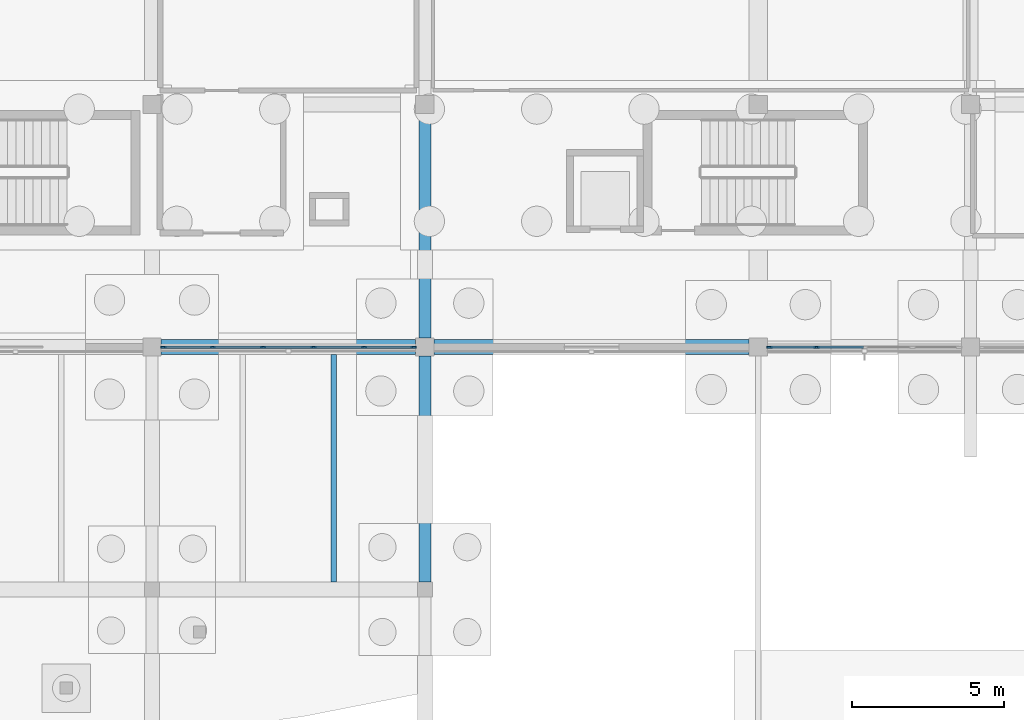
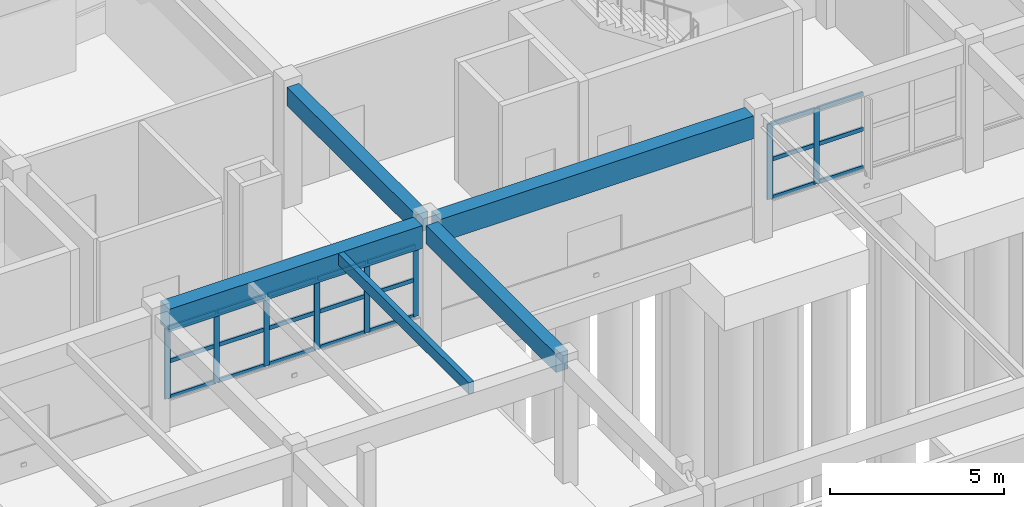
# One storey, part 35 of 99: 29 members, 5 beams, 2 elements without a shape of their own.
"""IFC4 building model written with IfcOpenShell, lengths in metres."""

from ifc_helpers import new_model, si_unit, direction, frame, origin, origin_2d, place, context, subcontext, project, spatial, rectangle, extrude, material, layer, layer_set, material_profile, profile_set, type_object, element, aggregate, save


model = new_model("IFC4")

# Units and contexts
model_context = context("Model", 3, precision=1e-05, world=origin(), true_north=direction((0.0, 1.0)))
body_context = subcontext(model_context, "Body", "Model", "MODEL_VIEW")
ifc_project = project(units=[si_unit("LENGTHUNIT", "METRE"), si_unit("AREAUNIT", "SQUARE_METRE"), si_unit("VOLUMEUNIT", "CUBIC_METRE"), si_unit("PLANEANGLEUNIT", "RADIAN"), si_unit("MASSUNIT", "GRAM", prefix="KILO")], contexts=[model_context])

# Site, building, storey
site_placement = place(None, origin())
site = spatial("IfcSite", under=ifc_project, at=site_placement, CompositionType="ELEMENT")
building_placement = place(site_placement, origin())
building = spatial("IfcBuilding", under=site, at=building_placement, Name="Tonlespit Floodbar School", CompositionType="ELEMENT")
storey_placement = place(building_placement, origin())
storey = spatial("IfcBuildingStorey", under=building, at=storey_placement, Name="L00", CompositionType="ELEMENT", Elevation=0.0)

# Beams
ifc_material_1 = material(Name="Concrete C40/50", Category="concrete")
ifc_material_profile_1 = material_profile(ifc_material_1, rectangle(XDim=0.39990234375, YDim=0.64990234375, at=origin_2d()), Name="RC 400x650")
ifc_profile_set_1 = profile_set([ifc_material_profile_1], Name="Concrete C40/50")
beam_type_1 = type_object("IfcBeamType", Name="Beam_RC_400x650", PredefinedType="BEAM", material=ifc_profile_set_1)
beam_1_placement = place(storey_placement, frame((116.0, 96.25, 3.9150390625), z_axis=(0.0, 1.0, 0.0), x_axis=(-1.0, 0.0, 0.0)))
element("IfcBeam", 1, at=beam_1_placement, inside=storey, type_object=beam_type_1, Name="L00 girder 0258", PredefinedType="BEAM", context=body_context, shape_type="SweptSolid", body=[
    extrude(rectangle(XDim=0.39990234375, YDim=0.64990234375, at=origin_2d()), origin(), (0.0, 0.0, 1.0), 7.449951171875),
])
beam_2_placement = place(storey_placement, frame((116.0, 104.300048828125, 3.9150390625), z_axis=(0.0, 1.0, 0.0), x_axis=(-1.0, 0.0, 0.0)))
element("IfcBeam", 2, at=beam_2_placement, inside=storey, type_object=beam_type_1, Name="L00 girder 0259", PredefinedType="BEAM", context=body_context, shape_type="SweptSolid", body=[
    extrude(rectangle(XDim=0.39990234375, YDim=0.64990234375, at=origin_2d()), origin(), (0.0, 0.0, 1.0), 7.39990234375),
])
ifc_material_profile_2 = material_profile(ifc_material_1, rectangle(XDim=0.5, YDim=0.800048828125, at=origin_2d()), Name="RC 500x800")
ifc_profile_set_2 = profile_set([ifc_material_profile_2], Name="Concrete C40/50")
beam_type_2 = type_object("IfcBeamType", Name="Beam_RC_500x800", PredefinedType="BEAM", material=ifc_profile_set_2)
beam_3_placement = place(storey_placement, frame((107.300048828125, 104.0, 3.840087890625), z_axis=(1.0, 0.0, 0.0), x_axis=(0.0, 1.0, 0.0)))
element("IfcBeam", 3, at=beam_3_placement, inside=storey, type_object=beam_type_2, Name="L00 girder 0131", PredefinedType="BEAM", context=body_context, shape_type="SweptSolid", body=[
    extrude(rectangle(XDim=0.5, YDim=0.800048828125, at=origin_2d()), origin(), (0.0, 0.0, 1.0), 8.39990234375),
])
beam_4_placement = place(storey_placement, frame((116.300048828125, 104.0, 3.840087890625), z_axis=(1.0, 0.0, 0.0), x_axis=(0.0, 1.0, 0.0)))
element("IfcBeam", 4, at=beam_4_placement, inside=storey, type_object=beam_type_2, Name="L00 girder 0132", PredefinedType="BEAM", context=body_context, shape_type="SweptSolid", body=[
    extrude(rectangle(XDim=0.5, YDim=0.800048828125, at=origin_2d()), origin(), (0.0, 0.0, 1.0), 10.39990234375),
])

# Curtain wall, members
ifc_material_2 = material(Name="Anodised Aluminium", Category="aluminium")
ifc_layer_1 = layer(ifc_material_2, 0.159912109375)
ifc_layer_set_1 = layer_set([ifc_layer_1], Name="Anodised Aluminium")
curtain_wall_type_1 = type_object("IfcCurtainWallType", Name="CurtainWall_8300x2500", PredefinedType="NOTDEFINED", material=ifc_layer_set_1)
curtain_wall_1_placement = place(storey_placement, origin())
curtain_wall_1 = element("IfcCurtainWall", 5, at=curtain_wall_1_placement, inside=storey, type_object=curtain_wall_type_1, Name="L00 unitised curtain wall 0035", PredefinedType="NOTDEFINED")
ifc_material_profile_3 = material_profile(ifc_material_2, rectangle(XDim=0.06494140625, YDim=0.179931640625, at=origin_2d()), Name="ALU M65x180")
ifc_profile_set_3 = profile_set([ifc_material_profile_3], Name="Anodised Aluminium")
member_type_1 = type_object("IfcMemberType", Name="CW_Mullion_65x180", PredefinedType="MULLION", material=ifc_profile_set_3)
member_1_placement = place(storey_placement, frame((115.62744140625, 104.0, 0.949951171875), z_axis=(0.0, 0.0, 1.0), x_axis=(0.0, -1.0, 0.0)))
member_1 = element("IfcMember", 6, at=member_1_placement, type_object=member_type_1, Name="CW-03 mullion 1", PredefinedType="MULLION", context=body_context, shape_type="SweptSolid", body=[
    extrude(rectangle(XDim=0.06494140625, YDim=0.179931640625, at=origin_2d()), origin(), (0.0, 0.0, 1.0), 2.489990234375),
])
member_2_placement = place(storey_placement, frame((113.99609375, 104.0, 0.949951171875), z_axis=(0.0, 0.0, 1.0), x_axis=(0.0, -1.0, 0.0)))
member_2 = element("IfcMember", 7, at=member_2_placement, type_object=member_type_1, Name="CW-03 mullion 2", PredefinedType="MULLION", context=body_context, shape_type="SweptSolid", body=[
    extrude(rectangle(XDim=0.06494140625, YDim=0.179931640625, at=origin_2d()), origin(), (0.0, 0.0, 1.0), 2.489990234375),
])
member_3_placement = place(storey_placement, frame((112.33203125, 104.0, 0.949951171875), z_axis=(0.0, 0.0, 1.0), x_axis=(0.0, -1.0, 0.0)))
member_3 = element("IfcMember", 8, at=member_3_placement, type_object=member_type_1, Name="CW-03 mullion 3", PredefinedType="MULLION", context=body_context, shape_type="SweptSolid", body=[
    extrude(rectangle(XDim=0.06494140625, YDim=0.179931640625, at=origin_2d()), origin(), (0.0, 0.0, 1.0), 2.489990234375),
])
member_4_placement = place(storey_placement, frame((110.66796875, 104.0, 0.949951171875), z_axis=(0.0, 0.0, 1.0), x_axis=(0.0, -1.0, 0.0)))
member_4 = element("IfcMember", 9, at=member_4_placement, type_object=member_type_1, Name="CW-03 mullion 4", PredefinedType="MULLION", context=body_context, shape_type="SweptSolid", body=[
    extrude(rectangle(XDim=0.06494140625, YDim=0.179931640625, at=origin_2d()), origin(), (0.0, 0.0, 1.0), 2.489990234375),
])
member_5_placement = place(storey_placement, frame((109.00390625, 104.0, 0.949951171875), z_axis=(0.0, 0.0, 1.0), x_axis=(0.0, -1.0, 0.0)))
member_5 = element("IfcMember", 10, at=member_5_placement, type_object=member_type_1, Name="CW-03 mullion 5", PredefinedType="MULLION", context=body_context, shape_type="SweptSolid", body=[
    extrude(rectangle(XDim=0.06494140625, YDim=0.179931640625, at=origin_2d()), origin(), (0.0, 0.0, 1.0), 2.489990234375),
])
member_6_placement = place(storey_placement, frame((107.37255859375, 104.0, 0.949951171875), z_axis=(0.0, 0.0, 1.0), x_axis=(0.0, -1.0, 0.0)))
member_6 = element("IfcMember", 11, at=member_6_placement, type_object=member_type_1, Name="CW-03 mullion 6", PredefinedType="MULLION", context=body_context, shape_type="SweptSolid", body=[
    extrude(rectangle(XDim=0.06494140625, YDim=0.179931640625, at=origin_2d()), origin(), (0.0, 0.0, 1.0), 2.489990234375),
])

ifc_layer_2 = layer(ifc_material_2, 0.159912109375)
ifc_layer_set_2 = layer_set([ifc_layer_2], Name="Anodised Aluminium")
curtain_wall_type_2 = type_object("IfcCurtainWallType", Name="CurtainWall_6300x2650", PredefinedType="NOTDEFINED", material=ifc_layer_set_2)
curtain_wall_2_placement = place(storey_placement, origin())
curtain_wall_2 = element("IfcCurtainWall", 12, at=curtain_wall_2_placement, inside=storey, type_object=curtain_wall_type_2, Name="L00 unitised curtain wall 0373", PredefinedType="NOTDEFINED")
member_7_placement = place(storey_placement, frame((128.919921875, 104.0, 0.949951171875), z_axis=(0.0, 0.0, 1.0), x_axis=(0.0, -1.0, 0.0)))
member_7 = element("IfcMember", 13, at=member_7_placement, type_object=member_type_1, Name="CW-59 mullion 4", PredefinedType="MULLION", context=body_context, shape_type="SweptSolid", body=[
    extrude(rectangle(XDim=0.06494140625, YDim=0.179931640625, at=origin_2d()), origin(), (0.0, 0.0, 1.0), 2.64013671875),
])
member_8_placement = place(storey_placement, frame((127.37255859375, 104.0, 0.949951171875), z_axis=(0.0, 0.0, 1.0), x_axis=(0.0, -1.0, 0.0)))
member_8 = element("IfcMember", 14, at=member_8_placement, type_object=member_type_1, Name="CW-59 mullion 5", PredefinedType="MULLION", context=body_context, shape_type="SweptSolid", body=[
    extrude(rectangle(XDim=0.06494140625, YDim=0.179931640625, at=origin_2d()), origin(), (0.0, 0.0, 1.0), 2.64013671875),
])

# Member
ifc_material_profile_4 = material_profile(ifc_material_2, rectangle(XDim=0.06494140625, YDim=0.139892578125, at=origin_2d()), Name="ALU T65x140")
ifc_profile_set_4 = profile_set([ifc_material_profile_4], Name="Anodised Aluminium")
member_type_2 = type_object("IfcMemberType", Name="CW_Transom_65x140", PredefinedType="USERDEFINED", material=ifc_profile_set_4)
member_9_placement = place(storey_placement, frame((115.594970703125, 104.0, 0.982421875), z_axis=(-1.0, 0.0, 0.0), x_axis=(0.0, -1.0, 0.0)))
member_9 = element("IfcMember", 15, at=member_9_placement, type_object=member_type_2, Name="CW-03 transom 1.1", ObjectType="TRANSOM", PredefinedType="USERDEFINED", context=body_context, shape_type="SweptSolid", body=[
    extrude(rectangle(XDim=0.06494140625, YDim=0.139892578125, at=origin_2d()), origin(), (0.0, 0.0, 1.0), 1.56640625),
])

member_10_placement = place(storey_placement, frame((115.594970703125, 104.0, 2.244873046875), z_axis=(-1.0, 0.0, 0.0), x_axis=(0.0, -1.0, 0.0)))
member_10 = element("IfcMember", 16, at=member_10_placement, type_object=member_type_2, Name="CW-03 transom 1.2", ObjectType="TRANSOM", PredefinedType="USERDEFINED", context=body_context, shape_type="SweptSolid", body=[
    extrude(rectangle(XDim=0.06494140625, YDim=0.139892578125, at=origin_2d()), origin(), (0.0, 0.0, 1.0), 1.56640625),
])

member_11_placement = place(storey_placement, frame((115.594970703125, 104.0, 3.407470703125), z_axis=(-1.0, 0.0, 0.0), x_axis=(0.0, -1.0, 0.0)))
member_11 = element("IfcMember", 17, at=member_11_placement, type_object=member_type_2, Name="CW-03 transom 1.3", ObjectType="TRANSOM", PredefinedType="USERDEFINED", context=body_context, shape_type="SweptSolid", body=[
    extrude(rectangle(XDim=0.06494140625, YDim=0.139892578125, at=origin_2d()), origin(), (0.0, 0.0, 1.0), 1.56640625),
])

member_12_placement = place(storey_placement, frame((113.96337890625, 104.0, 0.982421875), z_axis=(-1.0, 0.0, 0.0), x_axis=(0.0, -1.0, 0.0)))
member_12 = element("IfcMember", 18, at=member_12_placement, type_object=member_type_2, Name="CW-03 transom 2.1", ObjectType="TRANSOM", PredefinedType="USERDEFINED", context=body_context, shape_type="SweptSolid", body=[
    extrude(rectangle(XDim=0.06494140625, YDim=0.139892578125, at=origin_2d()), origin(), (0.0, 0.0, 1.0), 1.598876953125),
])

member_13_placement = place(storey_placement, frame((113.96337890625, 104.0, 2.244873046875), z_axis=(-1.0, 0.0, 0.0), x_axis=(0.0, -1.0, 0.0)))
member_13 = element("IfcMember", 19, at=member_13_placement, type_object=member_type_2, Name="CW-03 transom 2.2", ObjectType="TRANSOM", PredefinedType="USERDEFINED", context=body_context, shape_type="SweptSolid", body=[
    extrude(rectangle(XDim=0.06494140625, YDim=0.139892578125, at=origin_2d()), origin(), (0.0, 0.0, 1.0), 1.598876953125),
])

member_14_placement = place(storey_placement, frame((113.96337890625, 104.0, 3.407470703125), z_axis=(-1.0, 0.0, 0.0), x_axis=(0.0, -1.0, 0.0)))
member_14 = element("IfcMember", 20, at=member_14_placement, type_object=member_type_2, Name="CW-03 transom 2.3", ObjectType="TRANSOM", PredefinedType="USERDEFINED", context=body_context, shape_type="SweptSolid", body=[
    extrude(rectangle(XDim=0.06494140625, YDim=0.139892578125, at=origin_2d()), origin(), (0.0, 0.0, 1.0), 1.598876953125),
])

member_15_placement = place(storey_placement, frame((112.299560546875, 104.0, 0.982421875), z_axis=(-1.0, 0.0, 0.0), x_axis=(0.0, -1.0, 0.0)))
member_15 = element("IfcMember", 21, at=member_15_placement, type_object=member_type_2, Name="CW-03 transom 3.1", ObjectType="TRANSOM", PredefinedType="USERDEFINED", context=body_context, shape_type="SweptSolid", body=[
    extrude(rectangle(XDim=0.06494140625, YDim=0.139892578125, at=origin_2d()), origin(), (0.0, 0.0, 1.0), 1.59912109375),
])

member_16_placement = place(storey_placement, frame((112.299560546875, 104.0, 2.244873046875), z_axis=(-1.0, 0.0, 0.0), x_axis=(0.0, -1.0, 0.0)))
member_16 = element("IfcMember", 22, at=member_16_placement, type_object=member_type_2, Name="CW-03 transom 3.2", ObjectType="TRANSOM", PredefinedType="USERDEFINED", context=body_context, shape_type="SweptSolid", body=[
    extrude(rectangle(XDim=0.06494140625, YDim=0.139892578125, at=origin_2d()), origin(), (0.0, 0.0, 1.0), 1.59912109375),
])

member_17_placement = place(storey_placement, frame((112.299560546875, 104.0, 3.407470703125), z_axis=(-1.0, 0.0, 0.0), x_axis=(0.0, -1.0, 0.0)))
member_17 = element("IfcMember", 23, at=member_17_placement, type_object=member_type_2, Name="CW-03 transom 3.3", ObjectType="TRANSOM", PredefinedType="USERDEFINED", context=body_context, shape_type="SweptSolid", body=[
    extrude(rectangle(XDim=0.06494140625, YDim=0.139892578125, at=origin_2d()), origin(), (0.0, 0.0, 1.0), 1.59912109375),
])

member_18_placement = place(storey_placement, frame((110.635498046875, 104.0, 0.982421875), z_axis=(-1.0, 0.0, 0.0), x_axis=(0.0, -1.0, 0.0)))
member_18 = element("IfcMember", 24, at=member_18_placement, type_object=member_type_2, Name="CW-03 transom 4.1", ObjectType="TRANSOM", PredefinedType="USERDEFINED", context=body_context, shape_type="SweptSolid", body=[
    extrude(rectangle(XDim=0.06494140625, YDim=0.139892578125, at=origin_2d()), origin(), (0.0, 0.0, 1.0), 1.598876953125),
])

member_19_placement = place(storey_placement, frame((110.635498046875, 104.0, 2.244873046875), z_axis=(-1.0, 0.0, 0.0), x_axis=(0.0, -1.0, 0.0)))
member_19 = element("IfcMember", 25, at=member_19_placement, type_object=member_type_2, Name="CW-03 transom 4.2", ObjectType="TRANSOM", PredefinedType="USERDEFINED", context=body_context, shape_type="SweptSolid", body=[
    extrude(rectangle(XDim=0.06494140625, YDim=0.139892578125, at=origin_2d()), origin(), (0.0, 0.0, 1.0), 1.598876953125),
])

member_20_placement = place(storey_placement, frame((110.635498046875, 104.0, 3.407470703125), z_axis=(-1.0, 0.0, 0.0), x_axis=(0.0, -1.0, 0.0)))
member_20 = element("IfcMember", 26, at=member_20_placement, type_object=member_type_2, Name="CW-03 transom 4.3", ObjectType="TRANSOM", PredefinedType="USERDEFINED", context=body_context, shape_type="SweptSolid", body=[
    extrude(rectangle(XDim=0.06494140625, YDim=0.139892578125, at=origin_2d()), origin(), (0.0, 0.0, 1.0), 1.598876953125),
])

member_21_placement = place(storey_placement, frame((108.971435546875, 104.0, 0.982421875), z_axis=(-1.0, 0.0, 0.0), x_axis=(0.0, -1.0, 0.0)))
member_21 = element("IfcMember", 27, at=member_21_placement, type_object=member_type_2, Name="CW-03 transom 5.1", ObjectType="TRANSOM", PredefinedType="USERDEFINED", context=body_context, shape_type="SweptSolid", body=[
    extrude(rectangle(XDim=0.06494140625, YDim=0.139892578125, at=origin_2d()), origin(), (0.0, 0.0, 1.0), 1.56640625),
])

member_22_placement = place(storey_placement, frame((108.971435546875, 104.0, 2.244873046875), z_axis=(-1.0, 0.0, 0.0), x_axis=(0.0, -1.0, 0.0)))
member_22 = element("IfcMember", 28, at=member_22_placement, type_object=member_type_2, Name="CW-03 transom 5.2", ObjectType="TRANSOM", PredefinedType="USERDEFINED", context=body_context, shape_type="SweptSolid", body=[
    extrude(rectangle(XDim=0.06494140625, YDim=0.139892578125, at=origin_2d()), origin(), (0.0, 0.0, 1.0), 1.56640625),
])

member_23_placement = place(storey_placement, frame((108.971435546875, 104.0, 3.407470703125), z_axis=(-1.0, 0.0, 0.0), x_axis=(0.0, -1.0, 0.0)))
member_23 = element("IfcMember", 29, at=member_23_placement, type_object=member_type_2, Name="CW-03 transom 5.3", ObjectType="TRANSOM", PredefinedType="USERDEFINED", context=body_context, shape_type="SweptSolid", body=[
    extrude(rectangle(XDim=0.06494140625, YDim=0.139892578125, at=origin_2d()), origin(), (0.0, 0.0, 1.0), 1.56640625),
])

aggregate(curtain_wall_1, [member_1, member_2, member_3, member_4, member_5, member_6, member_9, member_10, member_11, member_12, member_13, member_14, member_15, member_16, member_17, member_18, member_19, member_20, member_21, member_22, member_23])

member_24_placement = place(storey_placement, frame((130.467529296875, 104.0, 0.982421875), z_axis=(-1.0, 0.0, 0.0), x_axis=(0.0, -1.0, 0.0)))
member_24 = element("IfcMember", 30, at=member_24_placement, type_object=member_type_2, Name="CW-59 transom 3.1", ObjectType="TRANSOM", PredefinedType="USERDEFINED", context=body_context, shape_type="SweptSolid", body=[
    extrude(rectangle(XDim=0.06494140625, YDim=0.139892578125, at=origin_2d()), origin(), (0.0, 0.0, 1.0), 1.51513671875),
])

member_25_placement = place(storey_placement, frame((130.467529296875, 104.0, 2.32275390625), z_axis=(-1.0, 0.0, 0.0), x_axis=(0.0, -1.0, 0.0)))
member_25 = element("IfcMember", 31, at=member_25_placement, type_object=member_type_2, Name="CW-59 transom 3.2", ObjectType="TRANSOM", PredefinedType="USERDEFINED", context=body_context, shape_type="SweptSolid", body=[
    extrude(rectangle(XDim=0.06494140625, YDim=0.139892578125, at=origin_2d()), origin(), (0.0, 0.0, 1.0), 1.51513671875),
])

member_26_placement = place(storey_placement, frame((130.467529296875, 104.0, 3.5576171875), z_axis=(-1.0, 0.0, 0.0), x_axis=(0.0, -1.0, 0.0)))
member_26 = element("IfcMember", 32, at=member_26_placement, type_object=member_type_2, Name="CW-59 transom 3.3", ObjectType="TRANSOM", PredefinedType="USERDEFINED", context=body_context, shape_type="SweptSolid", body=[
    extrude(rectangle(XDim=0.06494140625, YDim=0.139892578125, at=origin_2d()), origin(), (0.0, 0.0, 1.0), 1.51513671875),
])

member_27_placement = place(storey_placement, frame((128.887451171875, 104.0, 0.982421875), z_axis=(-1.0, 0.0, 0.0), x_axis=(0.0, -1.0, 0.0)))
member_27 = element("IfcMember", 33, at=member_27_placement, type_object=member_type_2, Name="CW-59 transom 4.1", ObjectType="TRANSOM", PredefinedType="USERDEFINED", context=body_context, shape_type="SweptSolid", body=[
    extrude(rectangle(XDim=0.06494140625, YDim=0.139892578125, at=origin_2d()), origin(), (0.0, 0.0, 1.0), 1.482421875),
])

member_28_placement = place(storey_placement, frame((128.887451171875, 104.0, 2.32275390625), z_axis=(-1.0, 0.0, 0.0), x_axis=(0.0, -1.0, 0.0)))
member_28 = element("IfcMember", 34, at=member_28_placement, type_object=member_type_2, Name="CW-59 transom 4.2", ObjectType="TRANSOM", PredefinedType="USERDEFINED", context=body_context, shape_type="SweptSolid", body=[
    extrude(rectangle(XDim=0.06494140625, YDim=0.139892578125, at=origin_2d()), origin(), (0.0, 0.0, 1.0), 1.482421875),
])

member_29_placement = place(storey_placement, frame((128.887451171875, 104.0, 3.5576171875), z_axis=(-1.0, 0.0, 0.0), x_axis=(0.0, -1.0, 0.0)))
member_29 = element("IfcMember", 35, at=member_29_placement, type_object=member_type_2, Name="CW-59 transom 4.3", ObjectType="TRANSOM", PredefinedType="USERDEFINED", context=body_context, shape_type="SweptSolid", body=[
    extrude(rectangle(XDim=0.06494140625, YDim=0.139892578125, at=origin_2d()), origin(), (0.0, 0.0, 1.0), 1.482421875),
])

aggregate(curtain_wall_2, [member_7, member_8, member_24, member_25, member_26, member_27, member_28, member_29])

# Beam
ifc_material_3 = material(Name="Glulam GL28h", Category="wood")
ifc_material_profile_5 = material_profile(ifc_material_3, rectangle(XDim=0.179931640625, YDim=0.39990234375, at=origin_2d()), Name="GL 180x400")
ifc_profile_set_5 = profile_set([ifc_material_profile_5], Name="Glulam GL28h")
beam_type_3 = type_object("IfcBeamType", Name="Joist_GL_180x400", PredefinedType="JOIST", material=ifc_profile_set_5)
beam_5_placement = place(storey_placement, frame((113.0, 96.25, 4.0400390625), z_axis=(0.0, 1.0, 0.0), x_axis=(-1.0, 0.0, 0.0)))
element("IfcBeam", 36, at=beam_5_placement, inside=storey, type_object=beam_type_3, Name="L00 secondary joist 0495", PredefinedType="JOIST", context=body_context, shape_type="SweptSolid", body=[
    extrude(rectangle(XDim=0.179931640625, YDim=0.39990234375, at=origin_2d()), origin(), (0.0, 0.0, 1.0), 7.5),
])

save(model, "model.ifc")
